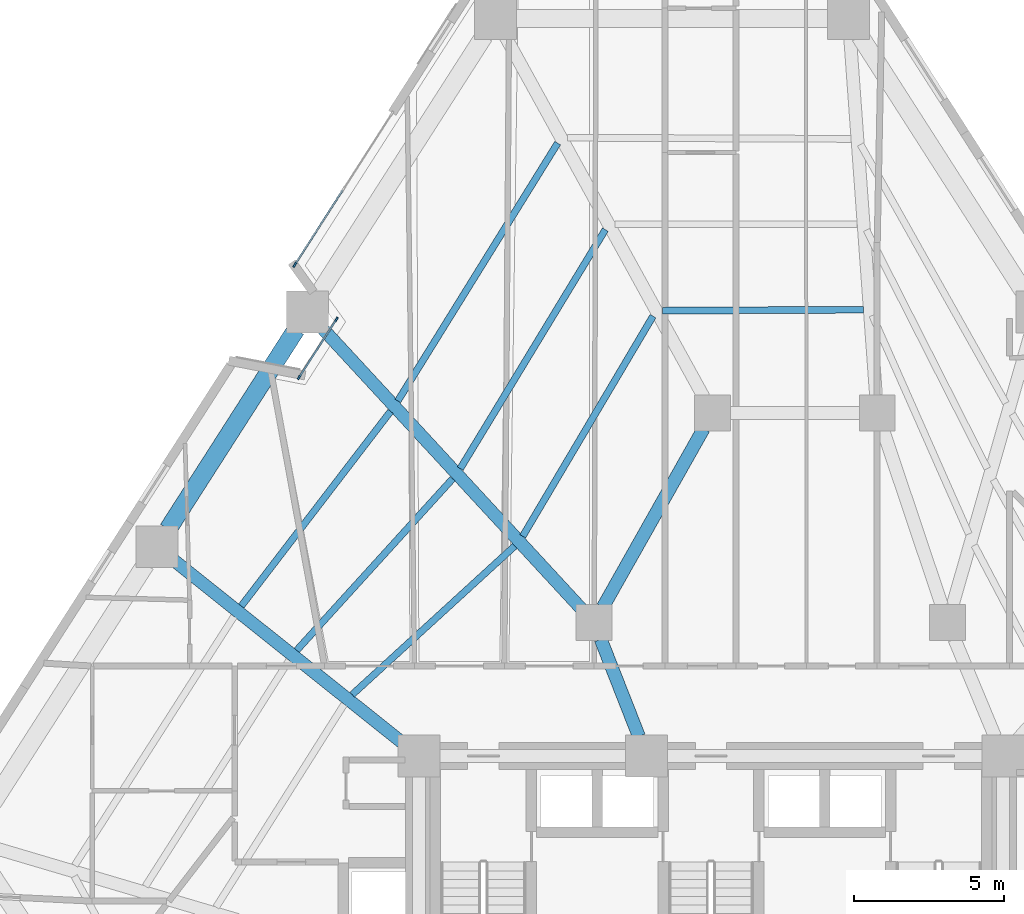
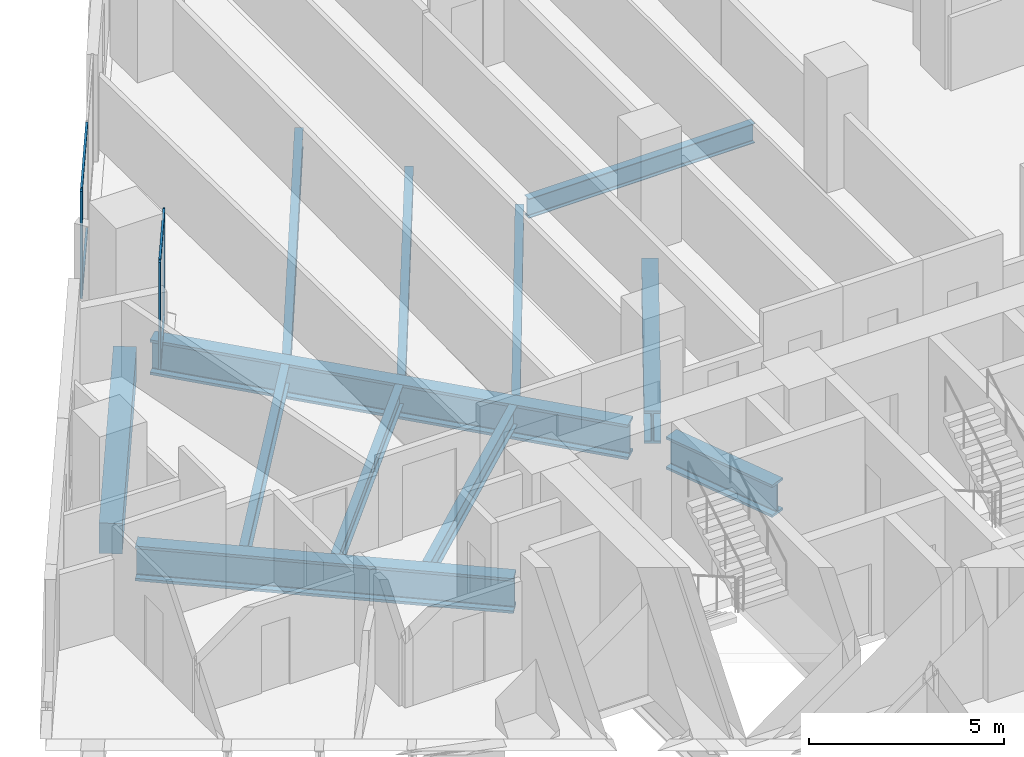
# One storey, part 3 of 15: 12 beams, 7 members, 2 elements without a shape of their own.
"""IFC4 building model written with IfcOpenShell, lengths in metres."""

from ifc_helpers import new_model, si_unit, direction, frame, origin, origin_2d, place, context, subcontext, project, spatial, rectangle, i_section, extrude, material, layer, layer_set, material_profile, profile_set, type_object, element, aggregate, save


model = new_model("IFC4")

# Units and contexts
model_context = context("Model", 3, precision=1e-05, world=origin(), true_north=direction((0.0, 1.0)))
body_context = subcontext(model_context, "Body", "Model", "MODEL_VIEW")
ifc_project = project(units=[si_unit("LENGTHUNIT", "METRE"), si_unit("AREAUNIT", "SQUARE_METRE"), si_unit("VOLUMEUNIT", "CUBIC_METRE"), si_unit("PLANEANGLEUNIT", "RADIAN"), si_unit("MASSUNIT", "GRAM", prefix="KILO")], contexts=[model_context])

# Site, building, storey
site_placement = place(None, origin())
site = spatial("IfcSite", under=ifc_project, at=site_placement, CompositionType="ELEMENT")
building_placement = place(site_placement, origin())
building = spatial("IfcBuilding", under=site, at=building_placement, Name="Almagre Mirador Tower", CompositionType="ELEMENT")
storey_placement = place(building_placement, frame((0.0, 0.0, 39.0)))
storey = spatial("IfcBuildingStorey", under=building, at=storey_placement, Name="L08", CompositionType="ELEMENT", Elevation=39.0)

# Beams
ifc_material_1 = material(Name="Steel ASTM A992 Grade 50", Category="steel")
ifc_material_profile_1 = material_profile(ifc_material_1, i_section(OverallWidth=0.22802734375, OverallDepth=0.60791015625, WebThickness=0.01123046875, FlangeThickness=0.017333984375, FilletRadius=0.02001953125, at=origin_2d()), Name="W24X76")
ifc_profile_set_1 = profile_set([ifc_material_profile_1], Name="Steel ASTM A992 Grade 50")
beam_type_1 = type_object("IfcBeamType", Name="BM-JST-W24X76", PredefinedType="JOIST", material=ifc_profile_set_1)
beam_1_placement = place(storey_placement, frame((42.388916015625, 29.647705078125, -0.553955078125), z_axis=(-0.9999880982, -0.004878878761, 0.0), x_axis=(0.004878878761, -0.9999880982, 0.0)))
element("IfcBeam", 1, at=beam_1_placement, inside=storey, type_object=beam_type_1, Name="L08 secondary floor joist PC08-PC09.3", PredefinedType="JOIST", context=body_context, shape_type="SweptSolid", body=[
    extrude(i_section(OverallWidth=0.22802734375, OverallDepth=0.60791015625, WebThickness=0.01123046875, FlangeThickness=0.017333984375, FilletRadius=0.02001953125, at=origin_2d()), origin(), (0.0, 0.0, 1.0), 6.705322265625),
])
beam_2_placement = place(storey_placement, frame((32.181640625, 35.2099609375, -0.553955078125), z_axis=(-0.527016621465, -0.849854976275, 0.0), x_axis=(0.849854976275, -0.527016621465, 0.0)))
element("IfcBeam", 2, at=beam_2_placement, inside=storey, type_object=beam_type_1, Name="L08 secondary floor joist PC09-PC10.1", PredefinedType="JOIST", context=body_context, shape_type="SweptSolid", body=[
    extrude(i_section(OverallWidth=0.22802734375, OverallDepth=0.60791015625, WebThickness=0.01123046875, FlangeThickness=0.017333984375, FilletRadius=0.02001953125, at=origin_2d()), origin(), (0.0, 0.0, 1.0), 10.12890625),
])
beam_3_placement = place(storey_placement, frame((33.7724609375, 32.32080078125, -0.553955078125), z_axis=(-0.518943321839, -0.854808650353, 0.0), x_axis=(0.854808650353, -0.518943321839, 0.0)))
element("IfcBeam", 3, at=beam_3_placement, inside=storey, type_object=beam_type_1, Name="L08 secondary floor joist PC09-PC10.2", PredefinedType="JOIST", context=body_context, shape_type="SweptSolid", body=[
    extrude(i_section(OverallWidth=0.22802734375, OverallDepth=0.60791015625, WebThickness=0.01123046875, FlangeThickness=0.017333984375, FilletRadius=0.02001953125, at=origin_2d()), origin(), (0.0, 0.0, 1.0), 9.33349609375),
])
beam_4_placement = place(storey_placement, frame((35.36376953125, 29.431396484375, -0.553955078125), z_axis=(-0.509415960857, -0.860520411625, 0.0), x_axis=(0.860520411625, -0.509415960857, 0.0)))
element("IfcBeam", 4, at=beam_4_placement, inside=storey, type_object=beam_type_1, Name="L08 secondary floor joist PC09-PC10.3", PredefinedType="JOIST", context=body_context, shape_type="SweptSolid", body=[
    extrude(i_section(OverallWidth=0.22802734375, OverallDepth=0.60791015625, WebThickness=0.01123046875, FlangeThickness=0.017333984375, FilletRadius=0.02001953125, at=origin_2d()), origin(), (0.0, 0.0, 1.0), 8.538818359375),
])
beam_5_placement = place(storey_placement, frame((26.602783203125, 26.25341796875, -0.553955078125), z_axis=(-0.608540420171, -0.793522877439, 0.0), x_axis=(0.793522877439, -0.608540420171, 0.0)))
element("IfcBeam", 5, at=beam_5_placement, inside=storey, type_object=beam_type_1, Name="L08 secondary floor joist PC10-PC11.1", PredefinedType="JOIST", context=body_context, shape_type="SweptSolid", body=[
    extrude(i_section(OverallWidth=0.22802734375, OverallDepth=0.60791015625, WebThickness=0.01123046875, FlangeThickness=0.017333984375, FilletRadius=0.02001953125, at=origin_2d()), origin(), (0.0, 0.0, 1.0), 8.190673828125),
])
beam_6_placement = place(storey_placement, frame((28.67626953125, 24.00439453125, -0.553955078125), z_axis=(-0.67260371892, -0.740002863032, 0.0), x_axis=(0.740002863032, -0.67260371892, 0.0)))
element("IfcBeam", 6, at=beam_6_placement, inside=storey, type_object=beam_type_1, Name="L08 secondary floor joist PC10-PC11.2", PredefinedType="JOIST", context=body_context, shape_type="SweptSolid", body=[
    extrude(i_section(OverallWidth=0.22802734375, OverallDepth=0.60791015625, WebThickness=0.01123046875, FlangeThickness=0.017333984375, FilletRadius=0.02001953125, at=origin_2d()), origin(), (0.0, 0.0, 1.0), 7.740966796875),
])
beam_7_placement = place(storey_placement, frame((30.74951171875, 21.758056640625, -0.553955078125), z_axis=(-0.738082183243, -0.674710820114, 0.0), x_axis=(0.674710820114, -0.738082183243, 0.0)))
element("IfcBeam", 7, at=beam_7_placement, inside=storey, type_object=beam_type_1, Name="L08 secondary floor joist PC10-PC11.3", PredefinedType="JOIST", context=body_context, shape_type="SweptSolid", body=[
    extrude(i_section(OverallWidth=0.22802734375, OverallDepth=0.60791015625, WebThickness=0.01123046875, FlangeThickness=0.017333984375, FilletRadius=0.02001953125, at=origin_2d()), origin(), (0.0, 0.0, 1.0), 7.3544921875),
])
ifc_material_2 = material(Name="Precast concrete C50/60", Category="concrete")
ifc_material_profile_2 = material_profile(ifc_material_2, rectangle(XDim=0.60009765625, YDim=0.949951171875, at=origin_2d()), Name="RC600X950")
ifc_profile_set_2 = profile_set([ifc_material_profile_2], Name="Precast concrete C50/60")
beam_type_2 = type_object("IfcBeamType", Name="BM-SPN-RC600X950", PredefinedType="SPANDREL", material=ifc_profile_set_2)
beam_8_placement = place(storey_placement, frame((23.4443359375, 28.983642578125, -0.72509765625), z_axis=(-0.539540486584, -0.841959656597, 0.0), x_axis=(0.841959656597, -0.539540486584, 0.0)))
element("IfcBeam", 8, at=beam_8_placement, inside=storey, type_object=beam_type_2, Name="L08 perimeter spandrel beam PC10-PC11", PredefinedType="SPANDREL", context=body_context, shape_type="SweptSolid", body=[
    extrude(rectangle(XDim=0.60009765625, YDim=0.949951171875, at=origin_2d()), origin(), (0.0, 0.0, 1.0), 7.911376953125),
])
ifc_material_3 = material(Name="Steel ASTM A992 Grade 50", Category="steel")
ifc_material_profile_3 = material_profile(ifc_material_3, i_section(OverallWidth=0.43701171875, OverallDepth=1.010986328125, WebThickness=0.041015625, FlangeThickness=0.073974609375, FilletRadius=0.028076171875, at=origin_2d()), Name="W36X529")
ifc_profile_set_3 = profile_set([ifc_material_profile_3], Name="Steel ASTM A992 Grade 50")
beam_type_3 = type_object("IfcBeamType", Name="BM-STL-W36X529", PredefinedType="BEAM", material=ifc_profile_set_3)
beam_9_placement = place(storey_placement, frame((37.05517578125, 25.677490234375, -0.755615234375), z_axis=(-0.491440637516, -0.870911074564, 0.0), x_axis=(0.870911074564, -0.491440637516, 0.0)))
element("IfcBeam", 9, at=beam_9_placement, inside=storey, type_object=beam_type_3, Name="L08 core tie girder MC7-MC8", PredefinedType="BEAM", context=body_context, shape_type="SweptSolid", body=[
    extrude(i_section(OverallWidth=0.43701171875, OverallDepth=1.010986328125, WebThickness=0.041015625, FlangeThickness=0.073974609375, FilletRadius=0.028076171875, at=origin_2d()), origin(), (0.0, 0.0, 1.0), 6.837646484375),
])
beam_10_placement = place(storey_placement, frame((33.61962890625, 18.6416015625, -0.755615234375), z_axis=(0.365956076985, -0.93063212373, 0.0), x_axis=(0.93063212373, 0.365956076985, 0.0)))
element("IfcBeam", 10, at=beam_10_placement, inside=storey, type_object=beam_type_3, Name="L08 core tie girder MC8-CC5", PredefinedType="BEAM", context=body_context, shape_type="SweptSolid", body=[
    extrude(i_section(OverallWidth=0.43701171875, OverallDepth=1.010986328125, WebThickness=0.041015625, FlangeThickness=0.073974609375, FilletRadius=0.028076171875, at=origin_2d()), origin(), (0.0, 0.0, 1.0), 3.481689453125),
])
ifc_material_4 = material(Name="Steel ASTM A913 Grade 65", Category="steel")
ifc_material_profile_4 = material_profile(ifc_material_4, i_section(OverallWidth=0.424072265625, OverallDepth=1.092041015625, WebThickness=0.04541015625, FlangeThickness=0.08203125, FilletRadius=0.030029296875, at=origin_2d()), Name="W40X593")
ifc_profile_set_4 = profile_set([ifc_material_profile_4], Name="Steel ASTM A913 Grade 65")
beam_type_4 = type_object("IfcBeamType", Name="BM-STL-W40X593", PredefinedType="BEAM", material=ifc_profile_set_4)
beam_11_placement = place(storey_placement, frame((24.296875, 29.05859375, -0.7958984375), z_axis=(0.678396377754, -0.734696096798, 0.0), x_axis=(0.734696096798, 0.678396377754, 0.0)))
element("IfcBeam", 11, at=beam_11_placement, inside=storey, type_object=beam_type_4, Name="L08 radial floor girder PC10-MC8", PredefinedType="BEAM", context=body_context, shape_type="SweptSolid", body=[
    extrude(i_section(OverallWidth=0.424072265625, OverallDepth=1.092041015625, WebThickness=0.04541015625, FlangeThickness=0.08203125, FilletRadius=0.030029296875, at=origin_2d()), origin(), (0.0, 0.0, 1.0), 12.818603515625),
])
beam_12_placement = place(storey_placement, frame((19.34521484375, 21.29638671875, -0.7958984375), z_axis=(0.78167052396, -0.623691584015, 0.0), x_axis=(0.623691584015, 0.78167052396, 0.0)))
element("IfcBeam", 12, at=beam_12_placement, inside=storey, type_object=beam_type_4, Name="L08 radial floor girder PC11-CC4", PredefinedType="BEAM", context=body_context, shape_type="SweptSolid", body=[
    extrude(i_section(OverallWidth=0.424072265625, OverallDepth=1.092041015625, WebThickness=0.04541015625, FlangeThickness=0.08203125, FilletRadius=0.030029296875, at=origin_2d()), origin(), (0.0, 0.0, 1.0), 9.79638671875),
])

# Curtain wall, members
ifc_material_5 = material(Name="Black anodized aluminium", Category="aluminium")
ifc_layer_1 = layer(ifc_material_5, 0.169921875)
ifc_layer_set_1 = layer_set([ifc_layer_1], Name="Black anodized aluminium")
curtain_wall_type_1 = type_object("IfcCurtainWallType", Name="CW-CRS-SYS", PredefinedType="NOTDEFINED", material=ifc_layer_set_1)
curtain_wall_1_placement = place(storey_placement, origin())
curtain_wall_1 = element("IfcCurtainWall", 13, at=curtain_wall_1_placement, inside=storey, type_object=curtain_wall_type_1, Name="L08 vertical crease curtain wall 01", PredefinedType="NOTDEFINED")
ifc_material_6 = material(Name="Black anodized aluminium", Category="aluminium")
ifc_material_profile_5 = material_profile(ifc_material_6, rectangle(XDim=0.06005859375, YDim=0.14990234375, at=origin_2d()), Name="CWM60X150")
ifc_profile_set_5 = profile_set([ifc_material_profile_5], Name="Black anodized aluminium")
member_type_1 = type_object("IfcMemberType", Name="MBR-CWM60X150", PredefinedType="MULLION", material=ifc_profile_set_5)
member_1_placement = place(storey_placement, frame((23.549560546875, 27.387451171875, 0.0), z_axis=(0.0, 0.0, 1.0), x_axis=(-0.841762109764, 0.539848636718, 0.0)))
member_1 = element("IfcMember", 14, at=member_1_placement, type_object=member_type_1, Name="CW-4 mullion 1", PredefinedType="MULLION", context=body_context, shape_type="SweptSolid", body=[
    extrude(rectangle(XDim=0.06005859375, YDim=0.14990234375, at=origin_2d()), origin(), (0.0, 0.0, 1.0), 3.35009765625),
])
member_2_placement = place(storey_placement, frame((24.79638671875, 29.33154296875, 0.0), z_axis=(0.0, 0.0, 1.0), x_axis=(-0.841762109764, 0.539848636718, 0.0)))
member_2 = element("IfcMember", 15, at=member_2_placement, type_object=member_type_1, Name="CW-4 mullion 2", PredefinedType="MULLION", context=body_context, shape_type="SweptSolid", body=[
    extrude(rectangle(XDim=0.06005859375, YDim=0.14990234375, at=origin_2d()), origin(), (0.0, 0.0, 1.0), 3.35009765625),
])

# Curtain wall, member
ifc_material_7 = material(Name="Black anodized aluminium", Category="aluminium")
ifc_layer_2 = layer(ifc_material_7, 0.18994140625)
ifc_layer_set_2 = layer_set([ifc_layer_2], Name="Black anodized aluminium")
curtain_wall_type_2 = type_object("IfcCurtainWallType", Name="CW-RES-L-SYS", PredefinedType="NOTDEFINED", material=ifc_layer_set_2)
curtain_wall_2_placement = place(storey_placement, origin())
curtain_wall_2 = element("IfcCurtainWall", 16, at=curtain_wall_2_placement, inside=storey, type_object=curtain_wall_type_2, Name="L08 curtain wall run 02", PredefinedType="NOTDEFINED")
ifc_material_8 = material(Name="Black anodized aluminium", Category="aluminium")
ifc_material_profile_6 = material_profile(ifc_material_8, rectangle(XDim=0.06494140625, YDim=0.179931640625, at=origin_2d()), Name="CWM65X180")
ifc_profile_set_6 = profile_set([ifc_material_profile_6], Name="Black anodized aluminium")
member_type_2 = type_object("IfcMemberType", Name="MBR-CWM65X180", PredefinedType="MULLION", material=ifc_profile_set_6)
member_3_placement = place(storey_placement, frame((23.405517578125, 31.146484375, 0.0), z_axis=(0.0, 0.0, 1.0), x_axis=(-0.841967002982, 0.539529022287, 0.0)))
member_3 = element("IfcMember", 17, at=member_3_placement, type_object=member_type_2, Name="CW-2 mullion 1", PredefinedType="MULLION", context=body_context, shape_type="SweptSolid", body=[
    extrude(rectangle(XDim=0.06494140625, YDim=0.179931640625, at=origin_2d()), origin(), (0.0, 0.0, 1.0), 3.35009765625),
])

# Member
ifc_material_9 = material(Name="Black anodized aluminium", Category="aluminium")
ifc_material_profile_7 = material_profile(ifc_material_9, rectangle(XDim=0.06005859375, YDim=0.1298828125, at=origin_2d()), Name="CWT60X130")
ifc_profile_set_7 = profile_set([ifc_material_profile_7], Name="Black anodized aluminium")
member_type_3 = type_object("IfcMemberType", Name="MBR-CWT60X130", PredefinedType="USERDEFINED", material=ifc_profile_set_7)
member_4_placement = place(storey_placement, frame((23.565673828125, 27.41259765625, 0.030029296875), z_axis=(0.539863308408, 0.841752700165, 0.0), x_axis=(-0.841752700165, 0.539863308408, 0.0)))
member_4 = element("IfcMember", 18, at=member_4_placement, type_object=member_type_3, Name="CW-4 transom 1.1", ObjectType="TRANSOM", PredefinedType="USERDEFINED", context=body_context, shape_type="SweptSolid", body=[
    extrude(rectangle(XDim=0.06005859375, YDim=0.1298828125, at=origin_2d()), origin(), (0.0, 0.0, 1.0), 2.249755859375),
])

member_5_placement = place(storey_placement, frame((23.565673828125, 27.41259765625, 3.320068359375), z_axis=(0.539863308408, 0.841752700165, 0.0), x_axis=(-0.841752700165, 0.539863308408, 0.0)))
member_5 = element("IfcMember", 19, at=member_5_placement, type_object=member_type_3, Name="CW-4 transom 1.2", ObjectType="TRANSOM", PredefinedType="USERDEFINED", context=body_context, shape_type="SweptSolid", body=[
    extrude(rectangle(XDim=0.06005859375, YDim=0.1298828125, at=origin_2d()), origin(), (0.0, 0.0, 1.0), 2.249755859375),
])

aggregate(curtain_wall_1, [member_1, member_2, member_4, member_5])

member_6_placement = place(storey_placement, frame((23.423095703125, 31.173828125, 0.030029296875), z_axis=(0.539561682535, 0.841946073534, 0.0), x_axis=(-0.841946073534, 0.539561682535, 0.0)))
member_6 = element("IfcMember", 20, at=member_6_placement, type_object=member_type_3, Name="CW-2 transom 1.1", ObjectType="TRANSOM", PredefinedType="USERDEFINED", context=body_context, shape_type="SweptSolid", body=[
    extrude(rectangle(XDim=0.06005859375, YDim=0.1298828125, at=origin_2d()), origin(), (0.0, 0.0, 1.0), 2.931640625),
])

member_7_placement = place(storey_placement, frame((23.423095703125, 31.173828125, 3.320068359375), z_axis=(0.539561682535, 0.841946073534, 0.0), x_axis=(-0.841946073534, 0.539561682535, 0.0)))
member_7 = element("IfcMember", 21, at=member_7_placement, type_object=member_type_3, Name="CW-2 transom 1.2", ObjectType="TRANSOM", PredefinedType="USERDEFINED", context=body_context, shape_type="SweptSolid", body=[
    extrude(rectangle(XDim=0.06005859375, YDim=0.1298828125, at=origin_2d()), origin(), (0.0, 0.0, 1.0), 2.931640625),
])

aggregate(curtain_wall_2, [member_3, member_6, member_7])

save(model, "model.ifc")
